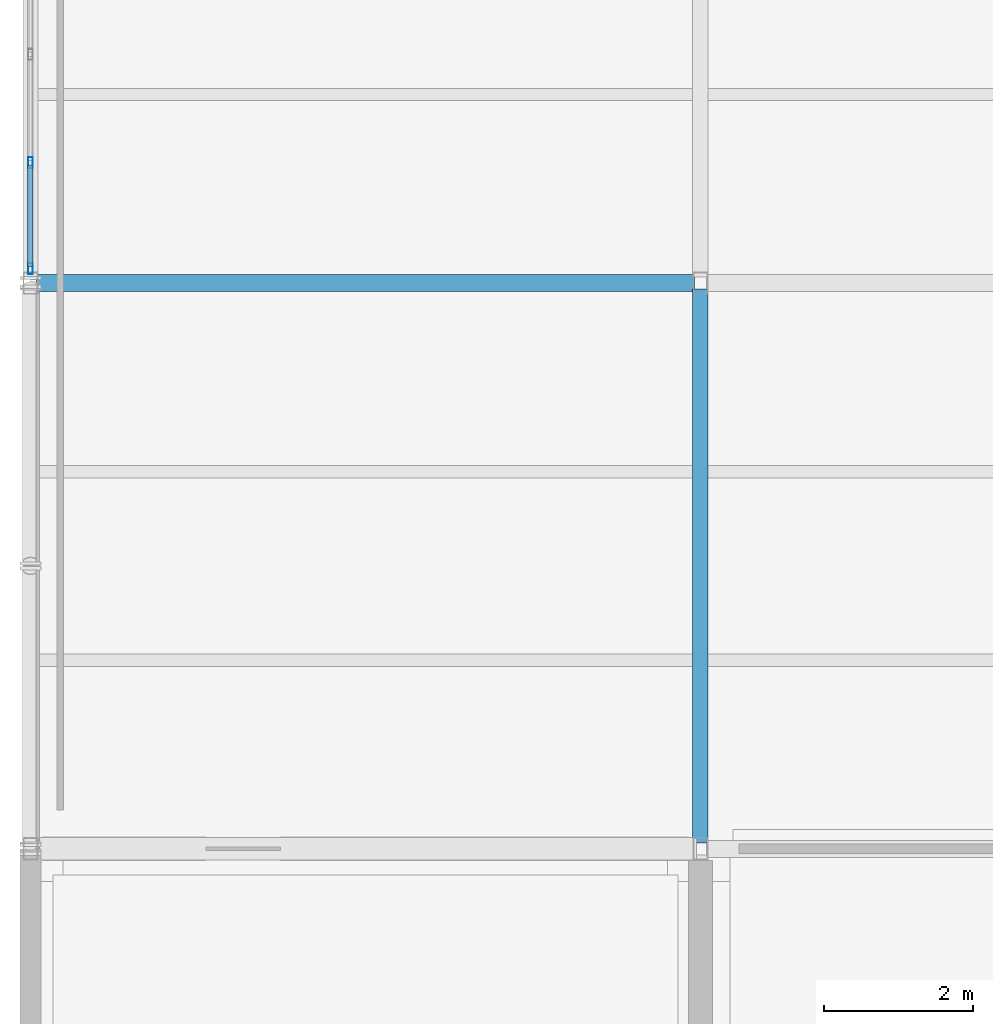
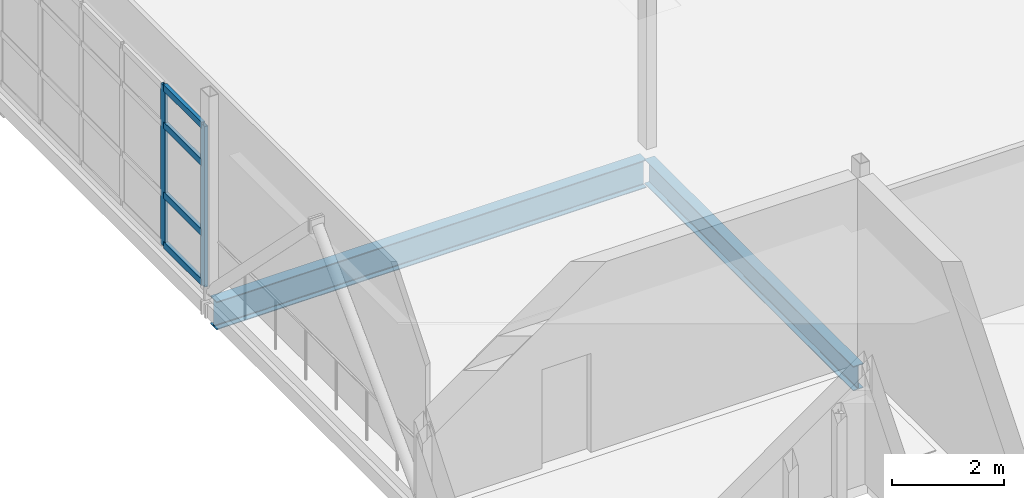
# One storey, part 37 of 166: 6 members, 2 beams, 1 element without a shape of its own.
"""IFC4 building model written with IfcOpenShell, lengths in metres."""

from ifc_helpers import new_model, si_unit, direction, frame, origin, origin_2d, place, context, subcontext, project, spatial, hollow_rectangle, i_section, extrude, material, material_profile, profile_set, type_object, element, aggregate, save


model = new_model("IFC4")

# Units and contexts
model_context = context("Model", 3, precision=1e-05, world=origin(), true_north=direction((0.0, 1.0)))
body_context = subcontext(model_context, "Body", "Model", "MODEL_VIEW")
ifc_project = project(units=[si_unit("LENGTHUNIT", "METRE"), si_unit("AREAUNIT", "SQUARE_METRE"), si_unit("VOLUMEUNIT", "CUBIC_METRE"), si_unit("PLANEANGLEUNIT", "RADIAN"), si_unit("MASSUNIT", "GRAM", prefix="KILO")], contexts=[model_context])

# Site, building, storey
site_placement = place(None, origin())
site = spatial("IfcSite", under=ifc_project, at=site_placement, CompositionType="ELEMENT")
building_placement = place(site_placement, origin())
building = spatial("IfcBuilding", under=site, at=building_placement, Name="Caisbarro Railhouse Central Library", CompositionType="ELEMENT")
storey_placement = place(building_placement, frame((0.0, 0.0, 9.360107421875)))
storey = spatial("IfcBuildingStorey", under=building, at=storey_placement, Name="L02", CompositionType="ELEMENT", Elevation=9.360107421875)

# Beams
ifc_material_1 = material(Name="Steel ASTM A572 Grade 50", Category="steel")
ifc_material_profile_1 = material_profile(ifc_material_1, i_section(OverallWidth=0.22802734375, OverallDepth=0.60791015625, WebThickness=0.01123046875, FlangeThickness=0.017333984375, FilletRadius=0.02197265625, at=origin_2d()), Name="W610X113.0")
ifc_profile_set_1 = profile_set([ifc_material_profile_1], Name="Steel ASTM A572 Grade 50")
beam_type_1 = type_object("IfcBeamType", Name="BM-G04", PredefinedType="BEAM", material=ifc_profile_set_1)
beam_1_placement = place(storey_placement, frame((0.080078125, 45.60009765625, -0.524169921875), z_axis=(1.0, 0.0, 0.0), x_axis=(0.0, 1.0, 0.0)))
element("IfcBeam", 1, at=beam_1_placement, inside=storey, type_object=beam_type_1, Name="G04 beam L02 #1367", PredefinedType="BEAM", context=body_context, shape_type="SweptSolid", body=[
    extrude(i_section(OverallWidth=0.22802734375, OverallDepth=0.60791015625, WebThickness=0.01123046875, FlangeThickness=0.017333984375, FilletRadius=0.02197265625, at=origin_2d()), origin(), (0.0, 0.0, 1.0), 8.83984375),
])
ifc_material_profile_2 = material_profile(ifc_material_1, i_section(OverallWidth=0.208984375, OverallDepth=0.532958984375, WebThickness=0.01025390625, FlangeThickness=0.015625, FilletRadius=0.02001953125, at=origin_2d()), Name="W530X92.0")
ifc_profile_set_2 = profile_set([ifc_material_profile_2], Name="Steel ASTM A572 Grade 50")
beam_type_2 = type_object("IfcBeamType", Name="BM-G06", PredefinedType="BEAM", material=ifc_profile_set_2)
beam_2_placement = place(storey_placement, frame((9.0, 38.080078125, -0.486572265625), z_axis=(0.0, 1.0, 0.0), x_axis=(-1.0, 0.0, 0.0)))
element("IfcBeam", 2, at=beam_2_placement, inside=storey, type_object=beam_type_2, Name="G06 beam L02 #1393", PredefinedType="BEAM", context=body_context, shape_type="SweptSolid", body=[
    extrude(i_section(OverallWidth=0.208984375, OverallDepth=0.532958984375, WebThickness=0.01025390625, FlangeThickness=0.015625, FilletRadius=0.02001953125, at=origin_2d()), origin(), (0.0, 0.0, 1.0), 7.43994140625),
])

# Curtain wall, members
ifc_material_2 = material(Name="Anodised architectural aluminium", Category="aluminium")
curtain_wall_type = type_object("IfcCurtainWallType", Name="CW-CW02", PredefinedType="NOTDEFINED", material=ifc_material_2)
curtain_wall_placement = place(storey_placement, origin())
curtain_wall = element("IfcCurtainWall", 3, at=curtain_wall_placement, inside=storey, type_object=curtain_wall_type, Name="CW02 curtain wall L02 #38", PredefinedType="NOTDEFINED")
ifc_material_profile_3 = material_profile(ifc_material_2, hollow_rectangle(XDim=0.06494140625, YDim=0.14990234375, WallThickness=0.00390625, at=origin_2d()), Name="ALU-MUL-65X150")
ifc_profile_set_3 = profile_set([ifc_material_profile_3], Name="Anodised architectural aluminium")
member_type_1 = type_object("IfcMemberType", Name="CWM-M02", PredefinedType="MULLION", material=ifc_profile_set_3)
member_1_placement = place(storey_placement, frame((0.0, 45.79248046875, 0.0), z_axis=(0.0, 0.0, 1.0), x_axis=(-1.0, 0.0, 0.0)))
member_1 = element("IfcMember", 4, at=member_1_placement, type_object=member_type_1, Name="CW02 mullion 1", PredefinedType="MULLION", context=body_context, shape_type="SweptSolid", body=[
    extrude(hollow_rectangle(XDim=0.06494140625, YDim=0.14990234375, WallThickness=0.00390625, at=origin_2d()), origin(), (0.0, 0.0, 1.0), 3.489990234375),
])
member_2_placement = place(storey_placement, frame((0.0, 47.216064453125, 0.0), z_axis=(0.0, 0.0, 1.0), x_axis=(-1.0, 0.0, 0.0)))
member_2 = element("IfcMember", 5, at=member_2_placement, type_object=member_type_1, Name="CW02 mullion 2", PredefinedType="MULLION", context=body_context, shape_type="SweptSolid", body=[
    extrude(hollow_rectangle(XDim=0.06494140625, YDim=0.14990234375, WallThickness=0.00390625, at=origin_2d()), origin(), (0.0, 0.0, 1.0), 3.489990234375),
])
ifc_material_profile_4 = material_profile(ifc_material_2, hollow_rectangle(XDim=0.074951171875, YDim=0.139892578125, WallThickness=0.00390625, at=origin_2d()), Name="ALU-TRN-75X140")
ifc_profile_set_4 = profile_set([ifc_material_profile_4], Name="Anodised architectural aluminium")
member_type_2 = type_object("IfcMemberType", Name="CWT-T01", PredefinedType="USERDEFINED", material=ifc_profile_set_4)
member_3_placement = place(storey_placement, frame((0.0, 45.824951171875, 0.037353515625), z_axis=(0.0, 1.0, 0.0), x_axis=(-1.0, 0.0, 0.0)))
member_3 = element("IfcMember", 6, at=member_3_placement, type_object=member_type_2, Name="CW02 transom 1.1", ObjectType="TRANSOM", PredefinedType="USERDEFINED", context=body_context, shape_type="SweptSolid", body=[
    extrude(hollow_rectangle(XDim=0.074951171875, YDim=0.139892578125, WallThickness=0.00390625, at=origin_2d()), origin(), (0.0, 0.0, 1.0), 1.358642578125),
])
member_4_placement = place(storey_placement, frame((0.0, 45.824951171875, 1.119873046875), z_axis=(0.0, 1.0, 0.0), x_axis=(-1.0, 0.0, 0.0)))
member_4 = element("IfcMember", 7, at=member_4_placement, type_object=member_type_2, Name="CW02 transom 1.2", ObjectType="TRANSOM", PredefinedType="USERDEFINED", context=body_context, shape_type="SweptSolid", body=[
    extrude(hollow_rectangle(XDim=0.074951171875, YDim=0.139892578125, WallThickness=0.00390625, at=origin_2d()), origin(), (0.0, 0.0, 1.0), 1.358642578125),
])
member_5_placement = place(storey_placement, frame((0.0, 45.824951171875, 2.639892578125), z_axis=(0.0, 1.0, 0.0), x_axis=(-1.0, 0.0, 0.0)))
member_5 = element("IfcMember", 8, at=member_5_placement, type_object=member_type_2, Name="CW02 transom 1.3", ObjectType="TRANSOM", PredefinedType="USERDEFINED", context=body_context, shape_type="SweptSolid", body=[
    extrude(hollow_rectangle(XDim=0.074951171875, YDim=0.139892578125, WallThickness=0.00390625, at=origin_2d()), origin(), (0.0, 0.0, 1.0), 1.358642578125),
])
member_6_placement = place(storey_placement, frame((0.0, 45.824951171875, 3.452392578125), z_axis=(0.0, 1.0, 0.0), x_axis=(-1.0, 0.0, 0.0)))
member_6 = element("IfcMember", 9, at=member_6_placement, type_object=member_type_2, Name="CW02 transom 1.4", ObjectType="TRANSOM", PredefinedType="USERDEFINED", context=body_context, shape_type="SweptSolid", body=[
    extrude(hollow_rectangle(XDim=0.074951171875, YDim=0.139892578125, WallThickness=0.00390625, at=origin_2d()), origin(), (0.0, 0.0, 1.0), 1.358642578125),
])
aggregate(curtain_wall, [member_1, member_2, member_3, member_4, member_5, member_6])

save(model, "model.ifc")
